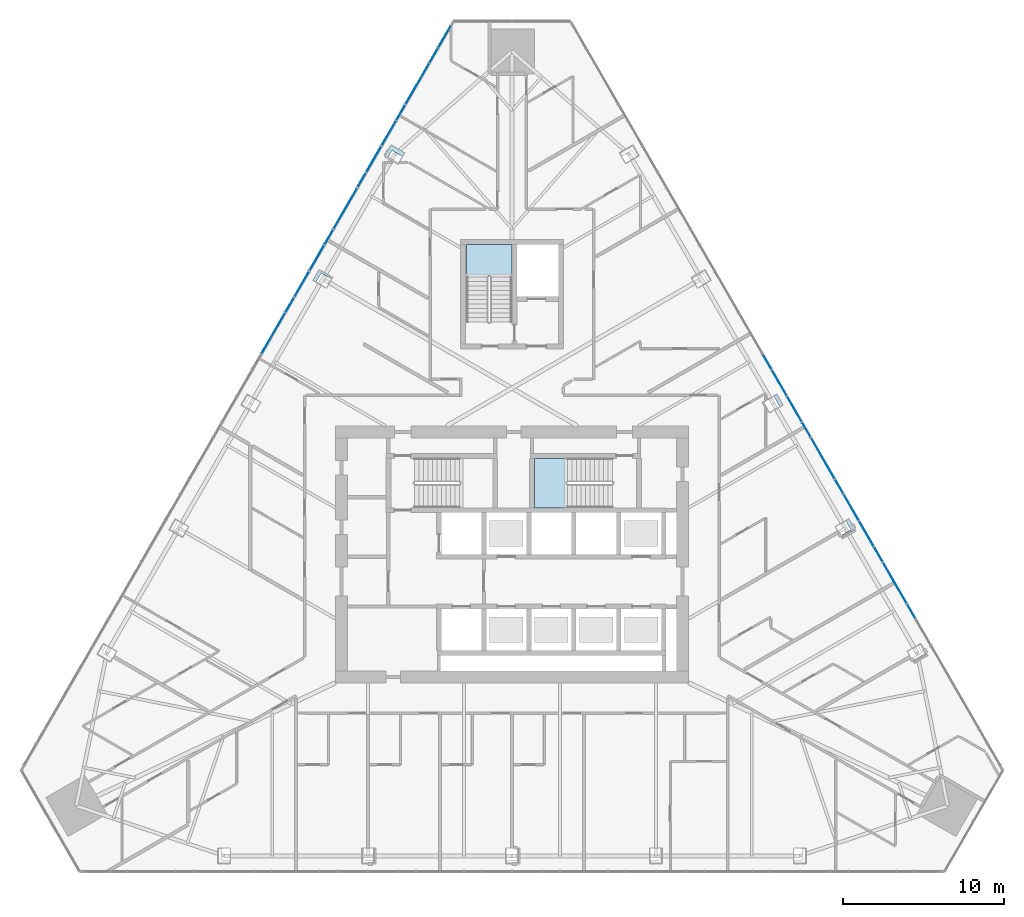
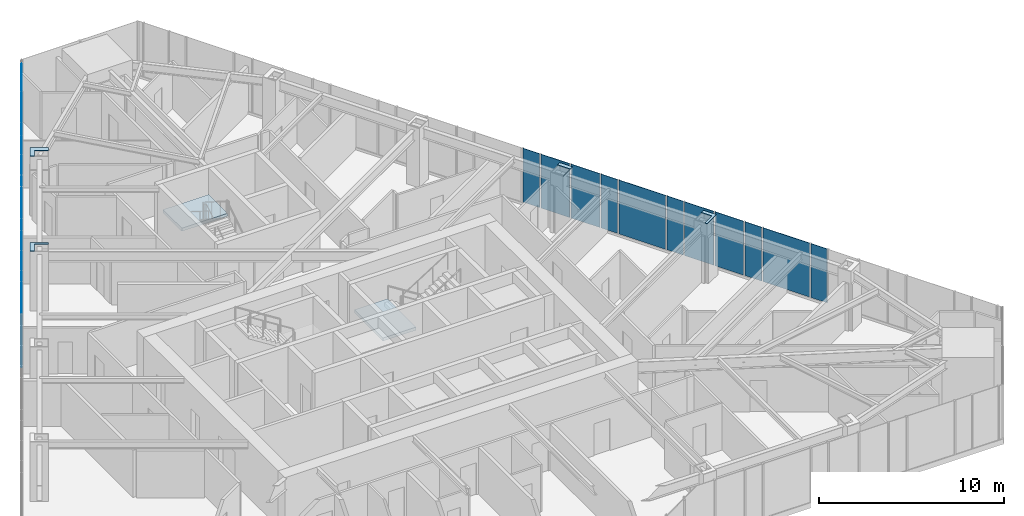
# One storey, part 17 of 26: 29 plates, 2 slabs, 4 elements without a shape of their own.
"""IFC4 building model written with IfcOpenShell, lengths in metres."""

from ifc_helpers import new_model, si_unit, direction, frame, origin, place, context, subcontext, project, spatial, polyline, outline, extrude, material, layer, layer_set, type_object, element, aggregate, save


model = new_model("IFC4")

# Units and contexts
model_context = context("Model", 3, precision=1e-05, world=origin(), true_north=direction((0.0, 1.0)))
body_context = subcontext(model_context, "Body", "Model", "MODEL_VIEW")
ifc_project = project(units=[si_unit("LENGTHUNIT", "METRE"), si_unit("AREAUNIT", "SQUARE_METRE"), si_unit("VOLUMEUNIT", "CUBIC_METRE"), si_unit("PLANEANGLEUNIT", "RADIAN"), si_unit("MASSUNIT", "GRAM", prefix="KILO")], contexts=[model_context])

# Site, building, storey
site_placement = place(None, origin())
site = spatial("IfcSite", under=ifc_project, at=site_placement, CompositionType="ELEMENT")
building_placement = place(site_placement, origin())
building = spatial("IfcBuilding", under=site, at=building_placement, Name="Firuza Gate Tower and Library", CompositionType="ELEMENT")
storey_placement = place(building_placement, frame((0.0, 0.0, 175.300048828125)))
storey = spatial("IfcBuildingStorey", under=building, at=storey_placement, Name="L40", CompositionType="ELEMENT", Elevation=175.300048828125)

# Plates
ifc_material_1 = material(Name="Steel S355", Category="steel")
ifc_layer_1 = layer(ifc_material_1, 0.030029296875)
ifc_layer_set_1 = layer_set([ifc_layer_1], Name="Column infill plate 30 Steel S355")
plate_type_1 = type_object("IfcPlateType", Name="Column infill plate 30 Steel S355", PredefinedType="SHEET", material=ifc_layer_set_1)
placement_1 = place(storey_placement, frame((0.0, 0.0, 3.89990234375)))
element("IfcPlate", 1, at=placement_1, inside=storey, type_object=plate_type_1, Name="Infill plate L40:E2", PredefinedType="SHEET", context=body_context, shape_type="SweptSolid", body=[
    extrude(outline(polyline([(95.9775390625, 77.224853515625), (95.770263671875, 77.105224609375), (96.101318359375, 76.531982421875), (95.4423828125, 76.151611328125), (95.511474609375, 76.031982421875), (96.37744140625, 76.531982421875), (95.9775390625, 77.224853515625)])), origin(), (0.0, 0.0, 1.0), 0.030029296875),
])
element("IfcPlate", 2, at=placement_1, inside=storey, type_object=plate_type_1, Name="Infill plate L40:E3", PredefinedType="SHEET", context=body_context, shape_type="SweptSolid", body=[
    extrude(outline(polyline([(91.49658203125, 84.986083984375), (91.289306640625, 84.866455078125), (91.689453125, 84.173828125), (91.030517578125, 83.793212890625), (91.030517578125, 83.793212890625), (91.896484375, 84.293212890625), (91.49658203125, 84.986083984375)])), origin(), (0.0, 0.0, 1.0), 0.030029296875),
])
element("IfcPlate", 3, at=placement_1, inside=storey, type_object=plate_type_1, Name="Infill plate L40:W1", PredefinedType="SHEET", context=body_context, shape_type="SweptSolid", body=[
    extrude(outline(polyline([(67.0654296875, 99.81591796875), (67.2724609375, 99.6962890625), (67.534423828125, 100.14990234375), (68.193359375, 99.76953125), (68.33154296875, 100.008544921875), (67.46533203125, 100.508544921875), (67.0654296875, 99.81591796875)])), origin(), (0.0, 0.0, 1.0), 0.030029296875),
])
element("IfcPlate", 4, at=placement_1, inside=storey, type_object=plate_type_1, Name="Infill plate L40:W2", PredefinedType="SHEET", context=body_context, shape_type="SweptSolid", body=[
    extrude(outline(polyline([(62.58447265625, 92.0546875), (62.79150390625, 91.93505859375), (63.12255859375, 92.50830078125), (63.781494140625, 92.1279296875), (63.8505859375, 92.247314453125), (62.984375, 92.747314453125), (62.58447265625, 92.0546875)])), origin(), (0.0, 0.0, 1.0), 0.030029296875),
])

# Curtain wall, plates
ifc_material_2 = material(Name="Aluminium 6063-T6", Category="aluminium")
ifc_layer_2 = layer(ifc_material_2, 0.14990234375)
ifc_layer_set_2 = layer_set([ifc_layer_2], Name="Unitised curtain wall, hotel")
curtain_wall_type = type_object("IfcCurtainWallType", Name="Unitised curtain wall, hotel", PredefinedType="NOTDEFINED", material=ifc_layer_set_2)
placement_2 = place(storey_placement, origin())
curtain_wall_1 = element("IfcCurtainWall", 5, at=placement_2, inside=storey, type_object=curtain_wall_type, Name="CW2 L40 E face", PredefinedType="NOTDEFINED")
ifc_material_3 = material(Name="Fritted glass", Category="glass")
ifc_layer_3 = layer(ifc_material_3, 0.030029296875)
ifc_layer_set_3 = layer_set([ifc_layer_3], Name="Fritted glass unit, hotel")
plate_type_2 = type_object("IfcPlateType", Name="Fritted glass unit, hotel", PredefinedType="CURTAIN_PANEL", material=ifc_layer_set_3)
plate_5_placement = place(storey_placement, frame((97.520751953125, 75.53173828125, 0.14990234375), z_axis=(0.866019189511, 0.500010763282, 0.0), x_axis=(-0.500010763282, 0.866019189511, 0.0)))
plate_5 = element("IfcPlate", 6, at=plate_5_placement, type_object=plate_type_2, Name="Glass unit", PredefinedType="CURTAIN_PANEL", context=body_context, shape_type="SweptSolid", body=[
    extrude(outline(polyline([(0.0, 0.0), (1.7836530103291977, 0.0), (1.7836530103291977, 3.550048828125), (0.0, 3.550048828125), (0.0, 0.0)])), origin(), (0.0, 0.0, -1.0), 0.030029296875),
])
plate_6_placement = place(storey_placement, frame((96.589111328125, 77.1455078125, 0.14990234375), z_axis=(0.866046528967, 0.499963408325, 0.0), x_axis=(-0.499963408325, 0.866046528967, 0.0)))
plate_6 = element("IfcPlate", 7, at=plate_6_placement, type_object=plate_type_2, Name="Glass unit", PredefinedType="CURTAIN_PANEL", context=body_context, shape_type="SweptSolid", body=[
    extrude(outline(polyline([(0.0, 0.0), (1.8126326545315377, 0.0), (1.8126326545315377, 3.550048828125), (0.0, 3.550048828125), (0.0, 0.0)])), origin(), (0.0, 0.0, -1.0), 0.030029296875),
])
plate_7_placement = place(storey_placement, frame((93.039794921875, 83.29296875, 0.14990234375), z_axis=(0.866045395139, 0.499965372359, 0.0), x_axis=(-0.499965372359, 0.866045395139, 0.0)))
plate_7 = element("IfcPlate", 8, at=plate_7_placement, type_object=plate_type_2, Name="Glass unit", PredefinedType="CURTAIN_PANEL", context=body_context, shape_type="SweptSolid", body=[
    extrude(outline(polyline([(0.0, 0.0), (1.797976081841815, 0.0), (1.797976081841815, 3.550048828125001), (0.0, 3.550048828125001), (0.0, 0.0)])), origin(), (0.0, 0.0, -1.0), 0.030029296875),
])
plate_8_placement = place(storey_placement, frame((92.100830078125, 84.91943359375, 0.14990234375), z_axis=(0.866045395139, 0.499965372359, 0.0), x_axis=(-0.499965372359, 0.866045395139, 0.0)))
plate_8 = element("IfcPlate", 9, at=plate_8_placement, type_object=plate_type_2, Name="Glass unit", PredefinedType="CURTAIN_PANEL", context=body_context, shape_type="SweptSolid", body=[
    extrude(outline(polyline([(0.0, 0.0), (1.797976081841815, 0.0), (1.797976081841815, 3.550048828125001), (0.0, 3.550048828125001), (0.0, 0.0)])), origin(), (0.0, 0.0, -1.0), 0.030029296875),
])

curtain_wall_2 = element("IfcCurtainWall", 10, at=placement_2, inside=storey, type_object=curtain_wall_type, Name="CW2 L40 W face", PredefinedType="NOTDEFINED")
plate_9_placement = place(storey_placement, frame((71.158203125, 107.884521484375, 0.14990234375), z_axis=(-0.866015980925, 0.500016320516, 0.0), x_axis=(-0.500016320516, -0.866015980925, 0.0)))
plate_9 = element("IfcPlate", 11, at=plate_9_placement, type_object=plate_type_2, Name="Glass unit", PredefinedType="CURTAIN_PANEL", context=body_context, shape_type="SweptSolid", body=[
    extrude(outline(polyline([(0.0, 0.0), (1.5102046116141798, 0.0), (1.5102046116141798, 1.735107421875), (0.0, 1.735107421875), (0.0, 0.0)])), origin(), (0.0, 0.0, -1.0), 0.030029296875),
])
plate_10_placement = place(storey_placement, frame((71.158203125, 107.884521484375, 1.96484375), z_axis=(-0.866010727845, 0.500025418611, 0.0), x_axis=(-0.500025418611, -0.866010727845, 0.0)))
plate_10 = element("IfcPlate", 12, at=plate_10_placement, type_object=plate_type_2, Name="Glass unit", PredefinedType="CURTAIN_PANEL", context=body_context, shape_type="SweptSolid", body=[
    extrude(outline(polyline([(0.0, 0.0), (2.5809234805176113, 0.0), (2.5809234805176113, 1.7351074218750004), (0.0, 1.7351074218750004), (0.0, 0.0)])), origin(), (0.0, 0.0, -1.0), 0.030029296875),
])
plate_11_placement = place(storey_placement, frame((67.760009765625, 101.9990234375, 0.14990234375), z_axis=(-0.866052308806, 0.49995339624, 0.0), x_axis=(-0.49995339624, -0.866052308806, 0.0)))
plate_11 = element("IfcPlate", 13, at=plate_11_placement, type_object=plate_type_2, Name="Glass unit", PredefinedType="CURTAIN_PANEL", context=body_context, shape_type="SweptSolid", body=[
    extrude(outline(polyline([(0.0, 0.0), (1.7692078722274327, 0.0), (1.7692078722274327, 3.550048828125001), (0.0, 3.550048828125001), (0.0, 0.0)])), origin(), (0.0, 0.0, -1.0), 0.030029296875),
])
plate_12_placement = place(storey_placement, frame((66.83544921875, 100.397705078125, 0.14990234375), z_axis=(-0.866072102183, 0.499919107277, 0.0), x_axis=(-0.499919107277, -0.866072102183, 0.0)))
plate_12 = element("IfcPlate", 14, at=plate_12_placement, type_object=plate_type_2, Name="Glass unit", PredefinedType="CURTAIN_PANEL", context=body_context, shape_type="SweptSolid", body=[
    extrude(outline(polyline([(0.0, 0.0), (1.8269557310962177, 0.0), (1.8269557310962177, 3.550048828125), (0.0, 3.550048828125), (0.0, 0.0)])), origin(), (0.0, 0.0, -1.0), 0.030029296875),
])
plate_13_placement = place(storey_placement, frame((63.279052734375, 94.23779296875, 0.14990234375), z_axis=(-0.866078457704, 0.499908096655, 0.0), x_axis=(-0.499908096655, -0.866078457704, 0.0)))
plate_13 = element("IfcPlate", 15, at=plate_13_placement, type_object=plate_type_2, Name="Glass unit", PredefinedType="CURTAIN_PANEL", context=body_context, shape_type="SweptSolid", body=[
    extrude(outline(polyline([(0.0, 0.0), (1.7835309499210616, 0.0), (1.7835309499210616, 3.550048828125001), (0.0, 3.550048828125001), (0.0, 0.0)])), origin(), (0.0, 0.0, -1.0), 0.030029296875),
])
plate_14_placement = place(storey_placement, frame((62.347412109375, 92.623779296875, 0.14990234375), z_axis=(-0.8660128559, 0.500021732944, 0.0), x_axis=(-0.500021732944, -0.8660128559, 0.0)))
plate_14 = element("IfcPlate", 16, at=plate_14_placement, type_object=plate_type_2, Name="Glass unit", PredefinedType="CURTAIN_PANEL", context=body_context, shape_type="SweptSolid", body=[
    extrude(outline(polyline([(0.0, 0.0), (1.8124212215009186, 0.0), (1.8124212215009186, 3.550048828125), (0.0, 3.550048828125), (0.0, 0.0)])), origin(), (0.0, 0.0, -1.0), 0.030029296875),
])

# Plate
ifc_material_4 = material(Name="Glazed ceramic tile")
ifc_layer_4 = layer(ifc_material_4, 0.030029296875)
ifc_layer_set_4 = layer_set([ifc_layer_4], Name="Opaque ceramic panel, hotel")
plate_type_3 = type_object("IfcPlateType", Name="Opaque ceramic panel, hotel", PredefinedType="CURTAIN_PANEL", material=ifc_layer_set_4)
plate_15_placement = place(storey_placement, frame((100.123779296875, 71.023193359375, 0.14990234375), z_axis=(0.866007637891, 0.500030770168, 0.0), x_axis=(-0.500030770168, 0.866007637891, 0.0)))
plate_15 = element("IfcPlate", 17, at=plate_15_placement, type_object=plate_type_3, Name="Opaque ceramic panel", PredefinedType="CURTAIN_PANEL", context=body_context, shape_type="SweptSolid", body=[
    extrude(outline(polyline([(0.0, 0.0), (1.0053092266832258, 0.0), (1.0053092266832258, 3.550048828125), (0.0, 3.550048828125), (0.0, 0.0)])), origin(), (0.0, 0.0, -1.0), 0.030029296875),
])

plate_16_placement = place(storey_placement, frame((99.5810546875, 71.963134765625, 0.14990234375), z_axis=(0.866026430432, 0.49999822179, 0.0), x_axis=(-0.49999822179, 0.866026430432, 0.0)))
plate_16 = element("IfcPlate", 18, at=plate_16_placement, type_object=plate_type_3, Name="Opaque ceramic panel", PredefinedType="CURTAIN_PANEL", context=body_context, shape_type="SweptSolid", body=[
    extrude(outline(polyline([(0.0, 0.0), (2.9121197317183585, 0.0), (2.9121197317183585, 3.550048828125), (0.0, 3.550048828125), (0.0, 0.0)])), origin(), (0.0, 0.0, -1.0), 0.030029296875),
])

plate_17_placement = place(storey_placement, frame((98.0849609375, 74.554443359375, 0.14990234375), z_axis=(0.866042106815, 0.499971068387, 0.0), x_axis=(-0.499971068387, 0.866042106815, 0.0)))
plate_17 = element("IfcPlate", 19, at=plate_17_placement, type_object=plate_type_3, Name="Opaque ceramic panel", PredefinedType="CURTAIN_PANEL", context=body_context, shape_type="SweptSolid", body=[
    extrude(outline(polyline([(0.0, 0.0), (1.0484005075855913, 0.0), (1.0484005075855913, 3.550048828125), (0.0, 3.550048828125), (0.0, 0.0)])), origin(), (0.0, 0.0, -1.0), 0.030029296875),
])

plate_18_placement = place(storey_placement, frame((95.642822265625, 78.784423828125, 0.14990234375), z_axis=(0.866054010271, 0.499950448838, 0.0), x_axis=(-0.499950448838, 0.866054010271, 0.0)))
plate_18 = element("IfcPlate", 20, at=plate_18_placement, type_object=plate_type_3, Name="Opaque ceramic panel", PredefinedType="CURTAIN_PANEL", context=body_context, shape_type="SweptSolid", body=[
    extrude(outline(polyline([(0.0, 0.0), (1.0196322979307544, 0.0), (1.0196322979307544, 3.550048828125), (0.0, 3.550048828125), (0.0, 0.0)])), origin(), (0.0, 0.0, -1.0), 0.030029296875),
])

plate_19_placement = place(storey_placement, frame((95.093017578125, 79.73681640625, 0.14990234375), z_axis=(0.866026430432, 0.49999822179, 0.0), x_axis=(-0.49999822179, 0.866026430432, 0.0)))
plate_19 = element("IfcPlate", 21, at=plate_19_placement, type_object=plate_type_3, Name="Opaque ceramic panel", PredefinedType="CURTAIN_PANEL", context=body_context, shape_type="SweptSolid", body=[
    extrude(outline(polyline([(0.0, 0.0), (2.9121197317183585, 0.0), (2.9121197317183585, 3.550048828125), (0.0, 3.550048828125), (0.0, 0.0)])), origin(), (0.0, 0.0, -1.0), 0.030029296875),
])

plate_20_placement = place(storey_placement, frame((93.596923828125, 82.328125, 0.14990234375), z_axis=(0.865996857859, 0.500049439734, 0.0), x_axis=(-0.500049439734, 0.865996857859, 0.0)))
plate_20 = element("IfcPlate", 22, at=plate_20_placement, type_object=plate_type_3, Name="Opaque ceramic panel", PredefinedType="CURTAIN_PANEL", context=body_context, shape_type="SweptSolid", body=[
    extrude(outline(polyline([(0.0, 0.0), (1.0340774384725424, 0.0), (1.0340774384725424, 3.550048828125001), (0.0, 3.550048828125001), (0.0, 0.0)])), origin(), (0.0, 0.0, -1.0), 0.030029296875),
])

plate_21_placement = place(storey_placement, frame((91.161865234375, 86.545654296875, 0.14990234375), z_axis=(0.866055875208, 0.499947218231, 0.0), x_axis=(-0.499947218231, 0.866055875208, 0.0)))
plate_21 = element("IfcPlate", 23, at=plate_21_placement, type_object=plate_type_3, Name="Opaque ceramic panel", PredefinedType="CURTAIN_PANEL", context=body_context, shape_type="SweptSolid", body=[
    extrude(outline(polyline([(0.0, 0.0), (1.0342888706916709, 0.0), (1.0342888706916709, 3.550048828125001), (0.0, 3.550048828125001), (0.0, 0.0)])), origin(), (0.0, 0.0, -1.0), 0.030029296875),
])

aggregate(curtain_wall_1, [plate_15, plate_16, plate_17, plate_5, plate_6, plate_18, plate_19, plate_20, plate_7, plate_8, plate_21])

plate_22_placement = place(storey_placement, frame((70.363037109375, 106.50732421875, 0.14990234375), z_axis=(-0.866005004348, 0.500035331196, 0.0), x_axis=(-0.500035331196, -0.866005004348, 0.0)))
plate_22 = element("IfcPlate", 24, at=plate_22_placement, type_object=plate_type_3, Name="Opaque ceramic panel", PredefinedType="CURTAIN_PANEL", context=body_context, shape_type="SweptSolid", body=[
    extrude(outline(polyline([(0.0, 0.0), (0.9906526543641133, 0.0), (0.9906526543641133, 1.735107421875), (0.0, 1.735107421875), (0.0, 0.0)])), origin(), (0.0, 0.0, -1.0), 0.030029296875),
])

plate_23_placement = place(storey_placement, frame((69.82763671875, 105.580078125, 0.14990234375), z_axis=(-0.866026430432, 0.49999822179, 0.0), x_axis=(-0.49999822179, -0.866026430432, 0.0)))
plate_23 = element("IfcPlate", 25, at=plate_23_placement, type_object=plate_type_3, Name="Opaque ceramic panel", PredefinedType="CURTAIN_PANEL", context=body_context, shape_type="SweptSolid", body=[
    extrude(outline(polyline([(0.0, 0.0), (2.9121197317183585, 0.0), (2.9121197317183585, 3.550048828125), (0.0, 3.550048828125), (0.0, 0.0)])), origin(), (0.0, 0.0, -1.0), 0.030029296875),
])

plate_24_placement = place(storey_placement, frame((68.33154296875, 102.98876953125, 0.14990234375), z_axis=(-0.865986661026, 0.500067098423, 0.0), x_axis=(-0.500067098423, -0.865986661026, 0.0)))
plate_24 = element("IfcPlate", 26, at=plate_24_placement, type_object=plate_type_3, Name="Opaque ceramic panel", PredefinedType="CURTAIN_PANEL", context=body_context, shape_type="SweptSolid", body=[
    extrude(outline(polyline([(0.0, 0.0), (1.0628456507164419, 0.0), (1.0628456507164419, 3.550048828125), (0.0, 3.550048828125), (0.0, 0.0)])), origin(), (0.0, 0.0, -1.0), 0.030029296875),
])

plate_25_placement = place(storey_placement, frame((65.882080078125, 98.74609375, 0.14990234375), z_axis=(-0.86594689844, 0.5001359506, 0.0), x_axis=(-0.5001359506, -0.86594689844, 0.0)))
plate_25 = element("IfcPlate", 27, at=plate_25_placement, type_object=plate_type_3, Name="Opaque ceramic panel", PredefinedType="CURTAIN_PANEL", context=body_context, shape_type="SweptSolid", body=[
    extrude(outline(polyline([(0.0, 0.0), (1.0050978064509601, 0.0), (1.0050978064509601, 3.550048828125), (0.0, 3.550048828125), (0.0, 0.0)])), origin(), (0.0, 0.0, -1.0), 0.030029296875),
])

plate_26_placement = place(storey_placement, frame((65.33935546875, 97.806396484375, 0.14990234375), z_axis=(-0.866026430432, 0.49999822179, 0.0), x_axis=(-0.49999822179, -0.866026430432, 0.0)))
plate_26 = element("IfcPlate", 28, at=plate_26_placement, type_object=plate_type_3, Name="Opaque ceramic panel", PredefinedType="CURTAIN_PANEL", context=body_context, shape_type="SweptSolid", body=[
    extrude(outline(polyline([(0.0, 0.0), (2.9121197317183585, 0.0), (2.9121197317183585, 3.550048828125), (0.0, 3.550048828125), (0.0, 0.0)])), origin(), (0.0, 0.0, -1.0), 0.030029296875),
])

plate_27_placement = place(storey_placement, frame((63.843505859375, 95.215087890625, 0.14990234375), z_axis=(-0.865941269335, 0.500145696835, 0.0), x_axis=(-0.500145696835, -0.865941269335, 0.0)))
plate_27 = element("IfcPlate", 29, at=plate_27_placement, type_object=plate_type_3, Name="Opaque ceramic panel", PredefinedType="CURTAIN_PANEL", context=body_context, shape_type="SweptSolid", body=[
    extrude(outline(polyline([(0.0, 0.0), (1.0485225921528996, 0.0), (1.0485225921528996, 3.550048828125), (0.0, 3.550048828125), (0.0, 0.0)])), origin(), (0.0, 0.0, -1.0), 0.030029296875),
])

plate_28_placement = place(storey_placement, frame((61.401123046875, 90.98486328125, 0.14990234375), z_axis=(-0.866054010271, 0.499950448838, 0.0), x_axis=(-0.499950448838, -0.866054010271, 0.0)))
plate_28 = element("IfcPlate", 30, at=plate_28_placement, type_object=plate_type_3, Name="Opaque ceramic panel", PredefinedType="CURTAIN_PANEL", context=body_context, shape_type="SweptSolid", body=[
    extrude(outline(polyline([(0.0, 0.0), (1.0196322979307544, 0.0), (1.0196322979307544, 3.550048828125), (0.0, 3.550048828125), (0.0, 0.0)])), origin(), (0.0, 0.0, -1.0), 0.030029296875),
])

plate_29_placement = place(storey_placement, frame((60.851318359375, 90.032470703125, 0.14990234375), z_axis=(-0.866026430432, 0.49999822179, 0.0), x_axis=(-0.49999822179, -0.866026430432, 0.0)))
plate_29 = element("IfcPlate", 31, at=plate_29_placement, type_object=plate_type_3, Name="Opaque ceramic panel", PredefinedType="CURTAIN_PANEL", context=body_context, shape_type="SweptSolid", body=[
    extrude(outline(polyline([(0.0, 0.0), (2.9121197317183585, 0.0), (2.9121197317183585, 3.550048828125), (0.0, 3.550048828125), (0.0, 0.0)])), origin(), (0.0, 0.0, -1.0), 0.030029296875),
])

aggregate(curtain_wall_2, [plate_9, plate_22, plate_10, plate_23, plate_24, plate_11, plate_12, plate_25, plate_26, plate_27, plate_13, plate_14, plate_28, plate_29])

# Stair, slab
ifc_material_5 = material(Name="Concrete C35/45", Category="concrete")
stair_type_1 = type_object("IfcStairType", Name="Exit stair ST7", PredefinedType="HALF_TURN_STAIR", material=ifc_material_5)
stair_1 = element("IfcStair", 32, at=placement_2, inside=storey, type_object=stair_type_1, Name="L40 Stair ST2", PredefinedType="HALF_TURN_STAIR")
ifc_material_6 = material(Name="Concrete C35/45", Category="concrete")
ifc_layer_5 = layer(ifc_material_6, 0.199951171875)
ifc_layer_set_5 = layer_set([ifc_layer_5], Name="Stair landing 200")
slab_type = type_object("IfcSlabType", Name="Stair landing 200", PredefinedType="LANDING", material=ifc_layer_set_5)
placement_3 = place(storey_placement, frame((0.0, 0.0, 1.75)))
slab_1 = element("IfcSlab", 33, at=placement_3, type_object=slab_type, Name="ST2 landing 1", PredefinedType="LANDING", context=body_context, shape_type="SweptSolid", body=[
    extrude(outline(polyline([(78.4599609375, 80.97998046875), (76.389892578125, 80.97998046875), (76.389892578125, 77.89990234375), (78.4599609375, 77.89990234375), (78.4599609375, 80.97998046875)])), origin(), (0.0, 0.0, 1.0), 0.199951171875),
])
aggregate(stair_1, [slab_1])

ifc_material_7 = material(Name="Concrete C35/45", Category="concrete")
stair_type_2 = type_object("IfcStairType", Name="Exit stair ST16", PredefinedType="HALF_TURN_STAIR", material=ifc_material_7)
stair_2 = element("IfcStair", 34, at=placement_2, inside=storey, type_object=stair_type_2, Name="L40 Stair ST3", PredefinedType="HALF_TURN_STAIR")
slab_2 = element("IfcSlab", 35, at=placement_3, type_object=slab_type, Name="ST3 landing 1", PredefinedType="LANDING", context=body_context, shape_type="SweptSolid", body=[
    extrude(outline(polyline([(75.0, 92.27001953125), (75.0, 94.300048828125), (72.159912109375, 94.300048828125), (72.159912109375, 92.27001953125), (75.0, 92.27001953125)])), origin(), (0.0, 0.0, 1.0), 0.199951171875),
])
aggregate(stair_2, [slab_2])

save(model, "model.ifc")
